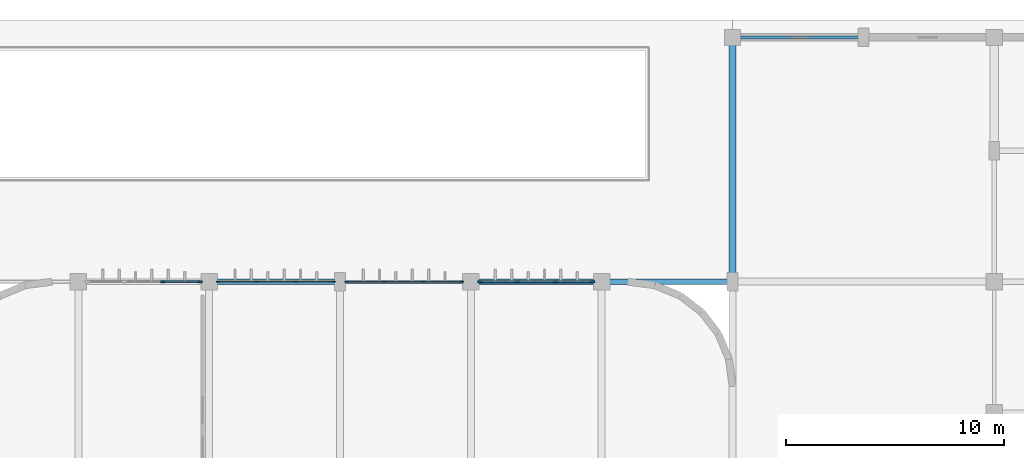
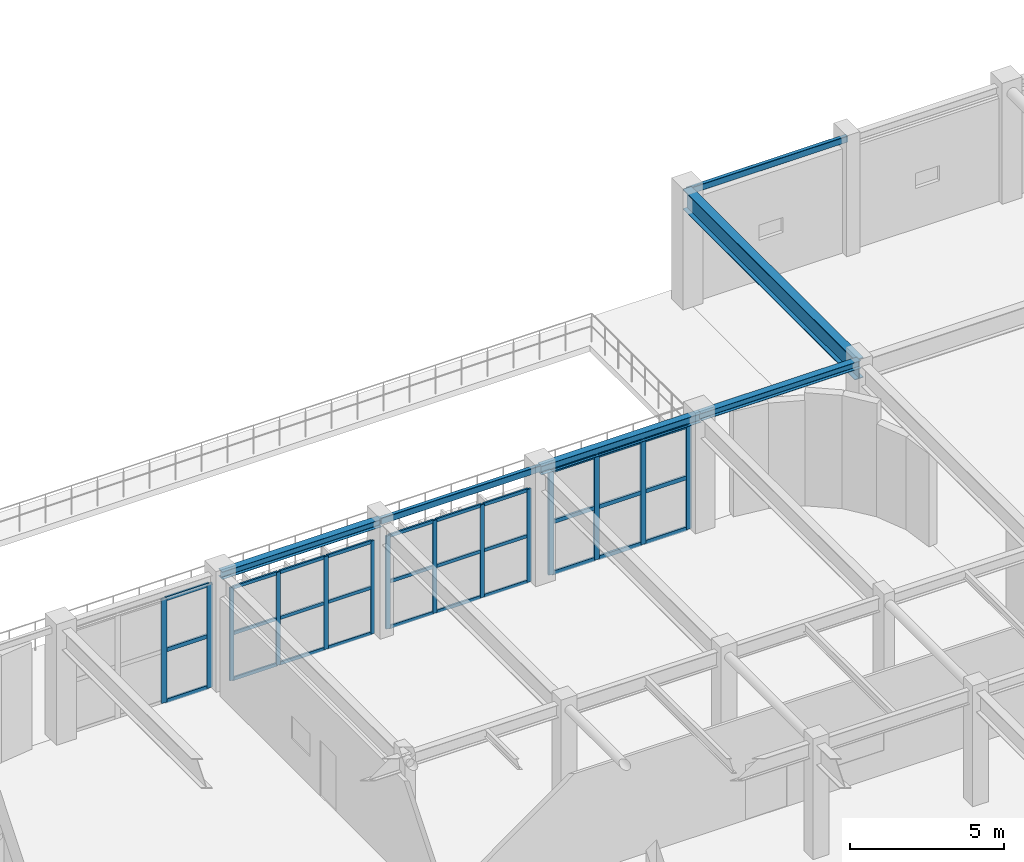
# One storey, part 27 of 76: 44 members, 6 beams, 4 elements without a shape of their own.
"""IFC4 building model written with IfcOpenShell, lengths in metres."""

from ifc_helpers import new_model, si_unit, direction, frame, origin, origin_2d, place, context, subcontext, project, spatial, rectangle, hollow_rectangle, i_section, extrude, material, material_profile, profile_set, type_object, element, aggregate, save


model = new_model("IFC4")

# Units and contexts
model_context = context("Model", 3, precision=1e-05, world=origin(), true_north=direction((0.0, 1.0)))
body_context = subcontext(model_context, "Body", "Model", "MODEL_VIEW")
ifc_project = project(units=[si_unit("LENGTHUNIT", "METRE"), si_unit("AREAUNIT", "SQUARE_METRE"), si_unit("VOLUMEUNIT", "CUBIC_METRE"), si_unit("PLANEANGLEUNIT", "RADIAN"), si_unit("MASSUNIT", "GRAM", prefix="KILO")], contexts=[model_context])

# Site, building, storey
site_placement = place(None, origin())
site = spatial("IfcSite", under=ifc_project, at=site_placement, CompositionType="ELEMENT")
building_placement = place(site_placement, origin())
building = spatial("IfcBuilding", under=site, at=building_placement, Name="Varnakota Square Police Headquarters", CompositionType="ELEMENT")
storey_placement = place(building_placement, origin())
storey = spatial("IfcBuildingStorey", under=building, at=storey_placement, Name="L00", CompositionType="ELEMENT", Elevation=0.0)

# Beams
ifc_material_1 = material(Name="Steel IS 2062 Grade 350", Category="steel")
ifc_material_profile_1 = material_profile(ifc_material_1, i_section(OverallWidth=0.320068359375, OverallDepth=0.800048828125, WebThickness=0.01611328125, FlangeThickness=0.028076171875, at=origin_2d()), Name="BPG 800x320")
ifc_profile_set_1 = profile_set([ifc_material_profile_1], Name="Steel IS 2062 Grade 350")
beam_type_1 = type_object("IfcBeamType", Name="BM-BPG800", PredefinedType="BEAM", material=ifc_profile_set_1)
beam_1_placement = place(storey_placement, frame((96.0, 99.0, 4.10009765625), z_axis=(0.0, 1.0, 0.0), x_axis=(-1.0, 0.0, 0.0)))
element("IfcBeam", 1, at=beam_1_placement, inside=storey, type_object=beam_type_1, Name="BMG-L00-1078", PredefinedType="BEAM", context=body_context, shape_type="SweptSolid", body=[
    extrude(i_section(OverallWidth=0.320068359375, OverallDepth=0.800048828125, WebThickness=0.01611328125, FlangeThickness=0.028076171875, at=origin_2d()), origin(), (0.0, 0.0, 1.0), 11.199951171875),
])
ifc_material_profile_2 = material_profile(ifc_material_1, hollow_rectangle(XDim=0.14990234375, YDim=0.25, WallThickness=0.010009765625, InnerFilletRadius=0.010009765625, OuterFilletRadius=0.02001953125, at=origin_2d()), Name="RHS 250x150x10")
ifc_profile_set_2 = profile_set([ifc_material_profile_2], Name="Steel IS 2062 Grade 350")
beam_type_2 = type_object("IfcBeamType", Name="BM-CBEAM-RHS250", PredefinedType="BEAM", material=ifc_profile_set_2)
for number, where, z_axis, x_axis, name in (
    (2, (78.0, 99.0, 4.375), (1.0, 0.0, 0.0), (0.0, 1.0, 0.0), "BMG-L00-0895"),
    (3, (96.0, 110.199951171875, 4.375), (1.0, 0.0, 0.0), (0.0, 1.0, 0.0), "BMG-L00-0924"),
):
    element("IfcBeam", number, at=place(storey_placement, frame(where, z_axis=z_axis, x_axis=x_axis)), inside=storey, type_object=beam_type_2, Name=name, PredefinedType="BEAM", context=body_context, shape_type="SweptSolid", body=[
        extrude(hollow_rectangle(XDim=0.14990234375, YDim=0.25, WallThickness=0.010009765625, InnerFilletRadius=0.010009765625, OuterFilletRadius=0.02001953125, at=origin_2d()), origin(), (0.0, 0.0, 1.0), 6.0),
    ])
ifc_material_profile_3 = material_profile(ifc_material_1, i_section(OverallWidth=0.25, OverallDepth=0.300048828125, WebThickness=0.009521484375, FlangeThickness=0.010498046875, FilletRadius=0.011962890625, at=origin_2d()), Name="ISHB 300")
ifc_profile_set_3 = profile_set([ifc_material_profile_3], Name="Steel IS 2062 Grade 350")
beam_type_3 = type_object("IfcBeamType", Name="BM-ISHB300", PredefinedType="BEAM", material=ifc_profile_set_3)
for number, where, z_axis, x_axis, name in (
    (4, (72.0, 99.0, 4.35009765625), (1.0, 0.0, 0.0), (0.0, 1.0, 0.0), "BMG-L00-0894"),
    (5, (90.0, 99.0, 4.35009765625), (1.0, 0.0, 0.0), (0.0, 1.0, 0.0), "BMG-L00-0897"),
):
    element("IfcBeam", number, at=place(storey_placement, frame(where, z_axis=z_axis, x_axis=x_axis)), inside=storey, type_object=beam_type_3, Name=name, PredefinedType="BEAM", context=body_context, shape_type="SweptSolid", body=[
        extrude(i_section(OverallWidth=0.25, OverallDepth=0.300048828125, WebThickness=0.009521484375, FlangeThickness=0.010498046875, FilletRadius=0.011962890625, at=origin_2d()), origin(), (0.0, 0.0, 1.0), 6.0),
    ])
ifc_material_profile_4 = material_profile(ifc_material_1, i_section(OverallWidth=0.25, OverallDepth=0.35009765625, WebThickness=0.010009765625, FlangeThickness=0.01171875, FilletRadius=0.011962890625, at=origin_2d()), Name="ISHB 350")
ifc_profile_set_4 = profile_set([ifc_material_profile_4], Name="Steel IS 2062 Grade 350")
beam_type_4 = type_object("IfcBeamType", Name="BM-ISHB350", PredefinedType="BEAM", material=ifc_profile_set_4)
beam_2_placement = place(storey_placement, frame((84.0, 99.0, 4.324951171875), z_axis=(1.0, 0.0, 0.0), x_axis=(0.0, 1.0, 0.0)))
element("IfcBeam", 6, at=beam_2_placement, inside=storey, type_object=beam_type_4, Name="BMG-L00-0896", PredefinedType="BEAM", context=body_context, shape_type="SweptSolid", body=[
    extrude(i_section(OverallWidth=0.25, OverallDepth=0.35009765625, WebThickness=0.010009765625, FlangeThickness=0.01171875, FilletRadius=0.011962890625, at=origin_2d()), origin(), (0.0, 0.0, 1.0), 6.0),
])

# Curtain wall, members
ifc_material_2 = material(Name="Anodised Aluminium Framing", Category="aluminium")
curtain_wall_type = type_object("IfcCurtainWallType", Name="CW-SYS-C", PredefinedType="NOTDEFINED", material=ifc_material_2)
curtain_wall_1_placement = place(storey_placement, origin())
curtain_wall_1 = element("IfcCurtainWall", 7, at=curtain_wall_1_placement, inside=storey, type_object=curtain_wall_type, Name="Unitised curtain wall CWG-L00-224", PredefinedType="NOTDEFINED")
ifc_material_3 = material(Name="Anodised Aluminium 6063-T6", Category="aluminium")
ifc_material_profile_5 = material_profile(ifc_material_3, rectangle(XDim=0.06494140625, YDim=0.159912109375, at=origin_2d()), Name="ALU MULLION 65x160")
ifc_profile_set_5 = profile_set([ifc_material_profile_5], Name="Anodised Aluminium 6063-T6")
member_type_1 = type_object("IfcMemberType", Name="CWM-150", PredefinedType="MULLION", material=ifc_profile_set_5)
member_1_placement = place(storey_placement, frame((72.41259765625, 99.0, 0.0), z_axis=(0.0, 0.0, 1.0), x_axis=(0.0, 1.0, 0.0)))
member_1 = element("IfcMember", 8, at=member_1_placement, type_object=member_type_1, Name="CWG-L00-224 mullion 1", PredefinedType="MULLION", context=body_context, shape_type="SweptSolid", body=[
    extrude(rectangle(XDim=0.06494140625, YDim=0.159912109375, at=origin_2d()), origin(), (0.0, 0.0, 1.0), 3.68994140625),
])
member_2_placement = place(storey_placement, frame((74.168212890625, 99.0, 0.0), z_axis=(0.0, 0.0, 1.0), x_axis=(0.0, 1.0, 0.0)))
member_2 = element("IfcMember", 9, at=member_2_placement, type_object=member_type_1, Name="CWG-L00-224 mullion 2", PredefinedType="MULLION", context=body_context, shape_type="SweptSolid", body=[
    extrude(rectangle(XDim=0.06494140625, YDim=0.159912109375, at=origin_2d()), origin(), (0.0, 0.0, 1.0), 3.68994140625),
])
member_3_placement = place(storey_placement, frame((75.956787109375, 99.0, 0.0), z_axis=(0.0, 0.0, 1.0), x_axis=(0.0, 1.0, 0.0)))
member_3 = element("IfcMember", 10, at=member_3_placement, type_object=member_type_1, Name="CWG-L00-224 mullion 3", PredefinedType="MULLION", context=body_context, shape_type="SweptSolid", body=[
    extrude(rectangle(XDim=0.06494140625, YDim=0.159912109375, at=origin_2d()), origin(), (0.0, 0.0, 1.0), 3.68994140625),
])
member_4_placement = place(storey_placement, frame((77.71240234375, 99.0, 0.0), z_axis=(0.0, 0.0, 1.0), x_axis=(0.0, 1.0, 0.0)))
member_4 = element("IfcMember", 11, at=member_4_placement, type_object=member_type_1, Name="CWG-L00-224 mullion 4", PredefinedType="MULLION", context=body_context, shape_type="SweptSolid", body=[
    extrude(rectangle(XDim=0.06494140625, YDim=0.159912109375, at=origin_2d()), origin(), (0.0, 0.0, 1.0), 3.68994140625),
])

curtain_wall_2_placement = place(storey_placement, origin())
curtain_wall_2 = element("IfcCurtainWall", 12, at=curtain_wall_2_placement, inside=storey, type_object=curtain_wall_type, Name="Unitised curtain wall CWG-L00-225", PredefinedType="NOTDEFINED")
member_5_placement = place(storey_placement, frame((78.28759765625, 99.0, 0.0), z_axis=(0.0, 0.0, 1.0), x_axis=(0.0, 1.0, 0.0)))
member_5 = element("IfcMember", 13, at=member_5_placement, type_object=member_type_1, Name="CWG-L00-225 mullion 1", PredefinedType="MULLION", context=body_context, shape_type="SweptSolid", body=[
    extrude(rectangle(XDim=0.06494140625, YDim=0.159912109375, at=origin_2d()), origin(), (0.0, 0.0, 1.0), 3.68994140625),
])
member_6_placement = place(storey_placement, frame((80.043212890625, 99.0, 0.0), z_axis=(0.0, 0.0, 1.0), x_axis=(0.0, 1.0, 0.0)))
member_6 = element("IfcMember", 14, at=member_6_placement, type_object=member_type_1, Name="CWG-L00-225 mullion 2", PredefinedType="MULLION", context=body_context, shape_type="SweptSolid", body=[
    extrude(rectangle(XDim=0.06494140625, YDim=0.159912109375, at=origin_2d()), origin(), (0.0, 0.0, 1.0), 3.68994140625),
])
member_7_placement = place(storey_placement, frame((81.831787109375, 99.0, 0.0), z_axis=(0.0, 0.0, 1.0), x_axis=(0.0, 1.0, 0.0)))
member_7 = element("IfcMember", 15, at=member_7_placement, type_object=member_type_1, Name="CWG-L00-225 mullion 3", PredefinedType="MULLION", context=body_context, shape_type="SweptSolid", body=[
    extrude(rectangle(XDim=0.06494140625, YDim=0.159912109375, at=origin_2d()), origin(), (0.0, 0.0, 1.0), 3.68994140625),
])
member_8_placement = place(storey_placement, frame((83.58740234375, 99.0, 0.0), z_axis=(0.0, 0.0, 1.0), x_axis=(0.0, 1.0, 0.0)))
member_8 = element("IfcMember", 16, at=member_8_placement, type_object=member_type_1, Name="CWG-L00-225 mullion 4", PredefinedType="MULLION", context=body_context, shape_type="SweptSolid", body=[
    extrude(rectangle(XDim=0.06494140625, YDim=0.159912109375, at=origin_2d()), origin(), (0.0, 0.0, 1.0), 3.68994140625),
])

curtain_wall_3_placement = place(storey_placement, origin())
curtain_wall_3 = element("IfcCurtainWall", 17, at=curtain_wall_3_placement, inside=storey, type_object=curtain_wall_type, Name="Unitised curtain wall CWG-L00-223", PredefinedType="NOTDEFINED")
ifc_material_profile_6 = material_profile(ifc_material_3, rectangle(XDim=0.074951171875, YDim=0.199951171875, at=origin_2d()), Name="ALU MULLION 75x200")
ifc_profile_set_6 = profile_set([ifc_material_profile_6], Name="Anodised Aluminium 6063-T6")
member_type_2 = type_object("IfcMemberType", Name="CWM-180", PredefinedType="MULLION", material=ifc_profile_set_6)
member_9_placement = place(storey_placement, frame((69.873291015625, 99.0, 0.0), z_axis=(0.0, 0.0, 1.0), x_axis=(0.0, 1.0, 0.0)))
member_9 = element("IfcMember", 18, at=member_9_placement, type_object=member_type_2, Name="CWG-L00-223 mullion 3", PredefinedType="MULLION", context=body_context, shape_type="SweptSolid", body=[
    extrude(rectangle(XDim=0.074951171875, YDim=0.199951171875, at=origin_2d()), origin(), (0.0, 0.0, 1.0), 4.139892578125),
])
member_10_placement = place(storey_placement, frame((71.58251953125, 99.0, 0.0), z_axis=(0.0, 0.0, 1.0), x_axis=(0.0, 1.0, 0.0)))
member_10 = element("IfcMember", 19, at=member_10_placement, type_object=member_type_2, Name="CWG-L00-223 mullion 4", PredefinedType="MULLION", context=body_context, shape_type="SweptSolid", body=[
    extrude(rectangle(XDim=0.074951171875, YDim=0.199951171875, at=origin_2d()), origin(), (0.0, 0.0, 1.0), 4.139892578125),
])

curtain_wall_4_placement = place(storey_placement, origin())
curtain_wall_4 = element("IfcCurtainWall", 20, at=curtain_wall_4_placement, inside=storey, type_object=curtain_wall_type, Name="Unitised curtain wall CWG-L00-226", PredefinedType="NOTDEFINED")
member_11_placement = place(storey_placement, frame((84.41748046875, 99.0, 0.0), z_axis=(0.0, 0.0, 1.0), x_axis=(0.0, 1.0, 0.0)))
member_11 = element("IfcMember", 21, at=member_11_placement, type_object=member_type_2, Name="CWG-L00-226 mullion 1", PredefinedType="MULLION", context=body_context, shape_type="SweptSolid", body=[
    extrude(rectangle(XDim=0.074951171875, YDim=0.199951171875, at=origin_2d()), origin(), (0.0, 0.0, 1.0), 4.139892578125),
])
member_12_placement = place(storey_placement, frame((86.126708984375, 99.0, 0.0), z_axis=(0.0, 0.0, 1.0), x_axis=(0.0, 1.0, 0.0)))
member_12 = element("IfcMember", 22, at=member_12_placement, type_object=member_type_2, Name="CWG-L00-226 mullion 2", PredefinedType="MULLION", context=body_context, shape_type="SweptSolid", body=[
    extrude(rectangle(XDim=0.074951171875, YDim=0.199951171875, at=origin_2d()), origin(), (0.0, 0.0, 1.0), 4.139892578125),
])
member_13_placement = place(storey_placement, frame((87.873291015625, 99.0, 0.0), z_axis=(0.0, 0.0, 1.0), x_axis=(0.0, 1.0, 0.0)))
member_13 = element("IfcMember", 23, at=member_13_placement, type_object=member_type_2, Name="CWG-L00-226 mullion 3", PredefinedType="MULLION", context=body_context, shape_type="SweptSolid", body=[
    extrude(rectangle(XDim=0.074951171875, YDim=0.199951171875, at=origin_2d()), origin(), (0.0, 0.0, 1.0), 4.139892578125),
])
member_14_placement = place(storey_placement, frame((89.58251953125, 99.0, 0.0), z_axis=(0.0, 0.0, 1.0), x_axis=(0.0, 1.0, 0.0)))
member_14 = element("IfcMember", 24, at=member_14_placement, type_object=member_type_2, Name="CWG-L00-226 mullion 4", PredefinedType="MULLION", context=body_context, shape_type="SweptSolid", body=[
    extrude(rectangle(XDim=0.074951171875, YDim=0.199951171875, at=origin_2d()), origin(), (0.0, 0.0, 1.0), 4.139892578125),
])

# Member
ifc_material_profile_7 = material_profile(ifc_material_3, rectangle(XDim=0.06494140625, YDim=0.1298828125, at=origin_2d()), Name="ALU TRANSOM 65x130")
ifc_profile_set_7 = profile_set([ifc_material_profile_7], Name="Anodised Aluminium 6063-T6")
member_type_3 = type_object("IfcMemberType", Name="CWT-120", PredefinedType="USERDEFINED", material=ifc_profile_set_7)
member_15_placement = place(storey_placement, frame((72.445068359375, 99.0, 0.032470703125), z_axis=(1.0, 0.0, 0.0), x_axis=(0.0, 1.0, 0.0)))
member_15 = element("IfcMember", 25, at=member_15_placement, type_object=member_type_3, Name="CWG-L00-224 transom 1.1", ObjectType="TRANSOM", PredefinedType="USERDEFINED", context=body_context, shape_type="SweptSolid", body=[
    extrude(rectangle(XDim=0.06494140625, YDim=0.1298828125, at=origin_2d()), origin(), (0.0, 0.0, 1.0), 1.690673828125),
])

member_16_placement = place(storey_placement, frame((72.445068359375, 99.0, 1.844970703125), z_axis=(1.0, 0.0, 0.0), x_axis=(0.0, 1.0, 0.0)))
member_16 = element("IfcMember", 26, at=member_16_placement, type_object=member_type_3, Name="CWG-L00-224 transom 1.2", ObjectType="TRANSOM", PredefinedType="USERDEFINED", context=body_context, shape_type="SweptSolid", body=[
    extrude(rectangle(XDim=0.06494140625, YDim=0.1298828125, at=origin_2d()), origin(), (0.0, 0.0, 1.0), 1.690673828125),
])

member_17_placement = place(storey_placement, frame((72.445068359375, 99.0, 3.657470703125), z_axis=(1.0, 0.0, 0.0), x_axis=(0.0, 1.0, 0.0)))
member_17 = element("IfcMember", 27, at=member_17_placement, type_object=member_type_3, Name="CWG-L00-224 transom 1.3", ObjectType="TRANSOM", PredefinedType="USERDEFINED", context=body_context, shape_type="SweptSolid", body=[
    extrude(rectangle(XDim=0.06494140625, YDim=0.1298828125, at=origin_2d()), origin(), (0.0, 0.0, 1.0), 1.690673828125),
])

member_18_placement = place(storey_placement, frame((74.200927734375, 99.0, 0.032470703125), z_axis=(1.0, 0.0, 0.0), x_axis=(0.0, 1.0, 0.0)))
member_18 = element("IfcMember", 28, at=member_18_placement, type_object=member_type_3, Name="CWG-L00-224 transom 2.1", ObjectType="TRANSOM", PredefinedType="USERDEFINED", context=body_context, shape_type="SweptSolid", body=[
    extrude(rectangle(XDim=0.06494140625, YDim=0.1298828125, at=origin_2d()), origin(), (0.0, 0.0, 1.0), 1.72314453125),
])

member_19_placement = place(storey_placement, frame((74.200927734375, 99.0, 1.844970703125), z_axis=(1.0, 0.0, 0.0), x_axis=(0.0, 1.0, 0.0)))
member_19 = element("IfcMember", 29, at=member_19_placement, type_object=member_type_3, Name="CWG-L00-224 transom 2.2", ObjectType="TRANSOM", PredefinedType="USERDEFINED", context=body_context, shape_type="SweptSolid", body=[
    extrude(rectangle(XDim=0.06494140625, YDim=0.1298828125, at=origin_2d()), origin(), (0.0, 0.0, 1.0), 1.72314453125),
])

member_20_placement = place(storey_placement, frame((74.200927734375, 99.0, 3.657470703125), z_axis=(1.0, 0.0, 0.0), x_axis=(0.0, 1.0, 0.0)))
member_20 = element("IfcMember", 30, at=member_20_placement, type_object=member_type_3, Name="CWG-L00-224 transom 2.3", ObjectType="TRANSOM", PredefinedType="USERDEFINED", context=body_context, shape_type="SweptSolid", body=[
    extrude(rectangle(XDim=0.06494140625, YDim=0.1298828125, at=origin_2d()), origin(), (0.0, 0.0, 1.0), 1.72314453125),
])

member_21_placement = place(storey_placement, frame((75.9892578125, 99.0, 0.032470703125), z_axis=(1.0, 0.0, 0.0), x_axis=(0.0, 1.0, 0.0)))
member_21 = element("IfcMember", 31, at=member_21_placement, type_object=member_type_3, Name="CWG-L00-224 transom 3.1", ObjectType="TRANSOM", PredefinedType="USERDEFINED", context=body_context, shape_type="SweptSolid", body=[
    extrude(rectangle(XDim=0.06494140625, YDim=0.1298828125, at=origin_2d()), origin(), (0.0, 0.0, 1.0), 1.690673828125),
])

member_22_placement = place(storey_placement, frame((75.9892578125, 99.0, 1.844970703125), z_axis=(1.0, 0.0, 0.0), x_axis=(0.0, 1.0, 0.0)))
member_22 = element("IfcMember", 32, at=member_22_placement, type_object=member_type_3, Name="CWG-L00-224 transom 3.2", ObjectType="TRANSOM", PredefinedType="USERDEFINED", context=body_context, shape_type="SweptSolid", body=[
    extrude(rectangle(XDim=0.06494140625, YDim=0.1298828125, at=origin_2d()), origin(), (0.0, 0.0, 1.0), 1.690673828125),
])

member_23_placement = place(storey_placement, frame((75.9892578125, 99.0, 3.657470703125), z_axis=(1.0, 0.0, 0.0), x_axis=(0.0, 1.0, 0.0)))
member_23 = element("IfcMember", 33, at=member_23_placement, type_object=member_type_3, Name="CWG-L00-224 transom 3.3", ObjectType="TRANSOM", PredefinedType="USERDEFINED", context=body_context, shape_type="SweptSolid", body=[
    extrude(rectangle(XDim=0.06494140625, YDim=0.1298828125, at=origin_2d()), origin(), (0.0, 0.0, 1.0), 1.690673828125),
])

aggregate(curtain_wall_1, [member_1, member_2, member_3, member_4, member_15, member_16, member_17, member_18, member_19, member_20, member_21, member_22, member_23])

member_24_placement = place(storey_placement, frame((78.320068359375, 99.0, 0.032470703125), z_axis=(1.0, 0.0, 0.0), x_axis=(0.0, 1.0, 0.0)))
member_24 = element("IfcMember", 34, at=member_24_placement, type_object=member_type_3, Name="CWG-L00-225 transom 1.1", ObjectType="TRANSOM", PredefinedType="USERDEFINED", context=body_context, shape_type="SweptSolid", body=[
    extrude(rectangle(XDim=0.06494140625, YDim=0.1298828125, at=origin_2d()), origin(), (0.0, 0.0, 1.0), 1.690673828125),
])

member_25_placement = place(storey_placement, frame((78.320068359375, 99.0, 1.844970703125), z_axis=(1.0, 0.0, 0.0), x_axis=(0.0, 1.0, 0.0)))
member_25 = element("IfcMember", 35, at=member_25_placement, type_object=member_type_3, Name="CWG-L00-225 transom 1.2", ObjectType="TRANSOM", PredefinedType="USERDEFINED", context=body_context, shape_type="SweptSolid", body=[
    extrude(rectangle(XDim=0.06494140625, YDim=0.1298828125, at=origin_2d()), origin(), (0.0, 0.0, 1.0), 1.690673828125),
])

member_26_placement = place(storey_placement, frame((78.320068359375, 99.0, 3.657470703125), z_axis=(1.0, 0.0, 0.0), x_axis=(0.0, 1.0, 0.0)))
member_26 = element("IfcMember", 36, at=member_26_placement, type_object=member_type_3, Name="CWG-L00-225 transom 1.3", ObjectType="TRANSOM", PredefinedType="USERDEFINED", context=body_context, shape_type="SweptSolid", body=[
    extrude(rectangle(XDim=0.06494140625, YDim=0.1298828125, at=origin_2d()), origin(), (0.0, 0.0, 1.0), 1.690673828125),
])

member_27_placement = place(storey_placement, frame((80.075927734375, 99.0, 0.032470703125), z_axis=(1.0, 0.0, 0.0), x_axis=(0.0, 1.0, 0.0)))
member_27 = element("IfcMember", 37, at=member_27_placement, type_object=member_type_3, Name="CWG-L00-225 transom 2.1", ObjectType="TRANSOM", PredefinedType="USERDEFINED", context=body_context, shape_type="SweptSolid", body=[
    extrude(rectangle(XDim=0.06494140625, YDim=0.1298828125, at=origin_2d()), origin(), (0.0, 0.0, 1.0), 1.72314453125),
])

member_28_placement = place(storey_placement, frame((80.075927734375, 99.0, 1.844970703125), z_axis=(1.0, 0.0, 0.0), x_axis=(0.0, 1.0, 0.0)))
member_28 = element("IfcMember", 38, at=member_28_placement, type_object=member_type_3, Name="CWG-L00-225 transom 2.2", ObjectType="TRANSOM", PredefinedType="USERDEFINED", context=body_context, shape_type="SweptSolid", body=[
    extrude(rectangle(XDim=0.06494140625, YDim=0.1298828125, at=origin_2d()), origin(), (0.0, 0.0, 1.0), 1.72314453125),
])

member_29_placement = place(storey_placement, frame((80.075927734375, 99.0, 3.657470703125), z_axis=(1.0, 0.0, 0.0), x_axis=(0.0, 1.0, 0.0)))
member_29 = element("IfcMember", 39, at=member_29_placement, type_object=member_type_3, Name="CWG-L00-225 transom 2.3", ObjectType="TRANSOM", PredefinedType="USERDEFINED", context=body_context, shape_type="SweptSolid", body=[
    extrude(rectangle(XDim=0.06494140625, YDim=0.1298828125, at=origin_2d()), origin(), (0.0, 0.0, 1.0), 1.72314453125),
])

member_30_placement = place(storey_placement, frame((81.8642578125, 99.0, 0.032470703125), z_axis=(1.0, 0.0, 0.0), x_axis=(0.0, 1.0, 0.0)))
member_30 = element("IfcMember", 40, at=member_30_placement, type_object=member_type_3, Name="CWG-L00-225 transom 3.1", ObjectType="TRANSOM", PredefinedType="USERDEFINED", context=body_context, shape_type="SweptSolid", body=[
    extrude(rectangle(XDim=0.06494140625, YDim=0.1298828125, at=origin_2d()), origin(), (0.0, 0.0, 1.0), 1.690673828125),
])

member_31_placement = place(storey_placement, frame((81.8642578125, 99.0, 1.844970703125), z_axis=(1.0, 0.0, 0.0), x_axis=(0.0, 1.0, 0.0)))
member_31 = element("IfcMember", 41, at=member_31_placement, type_object=member_type_3, Name="CWG-L00-225 transom 3.2", ObjectType="TRANSOM", PredefinedType="USERDEFINED", context=body_context, shape_type="SweptSolid", body=[
    extrude(rectangle(XDim=0.06494140625, YDim=0.1298828125, at=origin_2d()), origin(), (0.0, 0.0, 1.0), 1.690673828125),
])

member_32_placement = place(storey_placement, frame((81.8642578125, 99.0, 3.657470703125), z_axis=(1.0, 0.0, 0.0), x_axis=(0.0, 1.0, 0.0)))
member_32 = element("IfcMember", 42, at=member_32_placement, type_object=member_type_3, Name="CWG-L00-225 transom 3.3", ObjectType="TRANSOM", PredefinedType="USERDEFINED", context=body_context, shape_type="SweptSolid", body=[
    extrude(rectangle(XDim=0.06494140625, YDim=0.1298828125, at=origin_2d()), origin(), (0.0, 0.0, 1.0), 1.690673828125),
])

aggregate(curtain_wall_2, [member_5, member_6, member_7, member_8, member_24, member_25, member_26, member_27, member_28, member_29, member_30, member_31, member_32])

ifc_material_profile_8 = material_profile(ifc_material_3, rectangle(XDim=0.074951171875, YDim=0.159912109375, at=origin_2d()), Name="ALU TRANSOM 75x160")
ifc_profile_set_8 = profile_set([ifc_material_profile_8], Name="Anodised Aluminium 6063-T6")
member_type_4 = type_object("IfcMemberType", Name="CWT-150", PredefinedType="USERDEFINED", material=ifc_profile_set_8)
member_33_placement = place(storey_placement, frame((69.910888671875, 99.0, 0.03759765625), z_axis=(1.0, 0.0, 0.0), x_axis=(0.0, 1.0, 0.0)))
member_33 = element("IfcMember", 43, at=member_33_placement, type_object=member_type_4, Name="CWG-L00-223 transom 3.1", ObjectType="TRANSOM", PredefinedType="USERDEFINED", context=body_context, shape_type="SweptSolid", body=[
    extrude(rectangle(XDim=0.074951171875, YDim=0.159912109375, at=origin_2d()), origin(), (0.0, 0.0, 1.0), 1.634033203125),
])

member_34_placement = place(storey_placement, frame((69.910888671875, 99.0, 2.070068359375), z_axis=(1.0, 0.0, 0.0), x_axis=(0.0, 1.0, 0.0)))
member_34 = element("IfcMember", 44, at=member_34_placement, type_object=member_type_4, Name="CWG-L00-223 transom 3.2", ObjectType="TRANSOM", PredefinedType="USERDEFINED", context=body_context, shape_type="SweptSolid", body=[
    extrude(rectangle(XDim=0.074951171875, YDim=0.159912109375, at=origin_2d()), origin(), (0.0, 0.0, 1.0), 1.634033203125),
])

member_35_placement = place(storey_placement, frame((69.910888671875, 99.0, 4.1025390625), z_axis=(1.0, 0.0, 0.0), x_axis=(0.0, 1.0, 0.0)))
member_35 = element("IfcMember", 45, at=member_35_placement, type_object=member_type_4, Name="CWG-L00-223 transom 3.3", ObjectType="TRANSOM", PredefinedType="USERDEFINED", context=body_context, shape_type="SweptSolid", body=[
    extrude(rectangle(XDim=0.074951171875, YDim=0.159912109375, at=origin_2d()), origin(), (0.0, 0.0, 1.0), 1.634033203125),
])

aggregate(curtain_wall_3, [member_9, member_10, member_33, member_34, member_35])

member_36_placement = place(storey_placement, frame((84.455078125, 99.0, 0.03759765625), z_axis=(1.0, 0.0, 0.0), x_axis=(0.0, 1.0, 0.0)))
member_36 = element("IfcMember", 46, at=member_36_placement, type_object=member_type_4, Name="CWG-L00-226 transom 1.1", ObjectType="TRANSOM", PredefinedType="USERDEFINED", context=body_context, shape_type="SweptSolid", body=[
    extrude(rectangle(XDim=0.074951171875, YDim=0.159912109375, at=origin_2d()), origin(), (0.0, 0.0, 1.0), 1.634033203125),
])

member_37_placement = place(storey_placement, frame((84.455078125, 99.0, 2.070068359375), z_axis=(1.0, 0.0, 0.0), x_axis=(0.0, 1.0, 0.0)))
member_37 = element("IfcMember", 47, at=member_37_placement, type_object=member_type_4, Name="CWG-L00-226 transom 1.2", ObjectType="TRANSOM", PredefinedType="USERDEFINED", context=body_context, shape_type="SweptSolid", body=[
    extrude(rectangle(XDim=0.074951171875, YDim=0.159912109375, at=origin_2d()), origin(), (0.0, 0.0, 1.0), 1.634033203125),
])

member_38_placement = place(storey_placement, frame((84.455078125, 99.0, 4.1025390625), z_axis=(1.0, 0.0, 0.0), x_axis=(0.0, 1.0, 0.0)))
member_38 = element("IfcMember", 48, at=member_38_placement, type_object=member_type_4, Name="CWG-L00-226 transom 1.3", ObjectType="TRANSOM", PredefinedType="USERDEFINED", context=body_context, shape_type="SweptSolid", body=[
    extrude(rectangle(XDim=0.074951171875, YDim=0.159912109375, at=origin_2d()), origin(), (0.0, 0.0, 1.0), 1.634033203125),
])

member_39_placement = place(storey_placement, frame((86.1640625, 99.0, 0.03759765625), z_axis=(1.0, 0.0, 0.0), x_axis=(0.0, 1.0, 0.0)))
member_39 = element("IfcMember", 49, at=member_39_placement, type_object=member_type_4, Name="CWG-L00-226 transom 2.1", ObjectType="TRANSOM", PredefinedType="USERDEFINED", context=body_context, shape_type="SweptSolid", body=[
    extrude(rectangle(XDim=0.074951171875, YDim=0.159912109375, at=origin_2d()), origin(), (0.0, 0.0, 1.0), 1.671875),
])

member_40_placement = place(storey_placement, frame((86.1640625, 99.0, 2.070068359375), z_axis=(1.0, 0.0, 0.0), x_axis=(0.0, 1.0, 0.0)))
member_40 = element("IfcMember", 50, at=member_40_placement, type_object=member_type_4, Name="CWG-L00-226 transom 2.2", ObjectType="TRANSOM", PredefinedType="USERDEFINED", context=body_context, shape_type="SweptSolid", body=[
    extrude(rectangle(XDim=0.074951171875, YDim=0.159912109375, at=origin_2d()), origin(), (0.0, 0.0, 1.0), 1.671875),
])

member_41_placement = place(storey_placement, frame((86.1640625, 99.0, 4.1025390625), z_axis=(1.0, 0.0, 0.0), x_axis=(0.0, 1.0, 0.0)))
member_41 = element("IfcMember", 51, at=member_41_placement, type_object=member_type_4, Name="CWG-L00-226 transom 2.3", ObjectType="TRANSOM", PredefinedType="USERDEFINED", context=body_context, shape_type="SweptSolid", body=[
    extrude(rectangle(XDim=0.074951171875, YDim=0.159912109375, at=origin_2d()), origin(), (0.0, 0.0, 1.0), 1.671875),
])

member_42_placement = place(storey_placement, frame((87.910888671875, 99.0, 0.03759765625), z_axis=(1.0, 0.0, 0.0), x_axis=(0.0, 1.0, 0.0)))
member_42 = element("IfcMember", 52, at=member_42_placement, type_object=member_type_4, Name="CWG-L00-226 transom 3.1", ObjectType="TRANSOM", PredefinedType="USERDEFINED", context=body_context, shape_type="SweptSolid", body=[
    extrude(rectangle(XDim=0.074951171875, YDim=0.159912109375, at=origin_2d()), origin(), (0.0, 0.0, 1.0), 1.634033203125),
])

member_43_placement = place(storey_placement, frame((87.910888671875, 99.0, 2.070068359375), z_axis=(1.0, 0.0, 0.0), x_axis=(0.0, 1.0, 0.0)))
member_43 = element("IfcMember", 53, at=member_43_placement, type_object=member_type_4, Name="CWG-L00-226 transom 3.2", ObjectType="TRANSOM", PredefinedType="USERDEFINED", context=body_context, shape_type="SweptSolid", body=[
    extrude(rectangle(XDim=0.074951171875, YDim=0.159912109375, at=origin_2d()), origin(), (0.0, 0.0, 1.0), 1.634033203125),
])

member_44_placement = place(storey_placement, frame((87.910888671875, 99.0, 4.1025390625), z_axis=(1.0, 0.0, 0.0), x_axis=(0.0, 1.0, 0.0)))
member_44 = element("IfcMember", 54, at=member_44_placement, type_object=member_type_4, Name="CWG-L00-226 transom 3.3", ObjectType="TRANSOM", PredefinedType="USERDEFINED", context=body_context, shape_type="SweptSolid", body=[
    extrude(rectangle(XDim=0.074951171875, YDim=0.159912109375, at=origin_2d()), origin(), (0.0, 0.0, 1.0), 1.634033203125),
])

aggregate(curtain_wall_4, [member_11, member_12, member_13, member_14, member_36, member_37, member_38, member_39, member_40, member_41, member_42, member_43, member_44])

save(model, "model.ifc")
